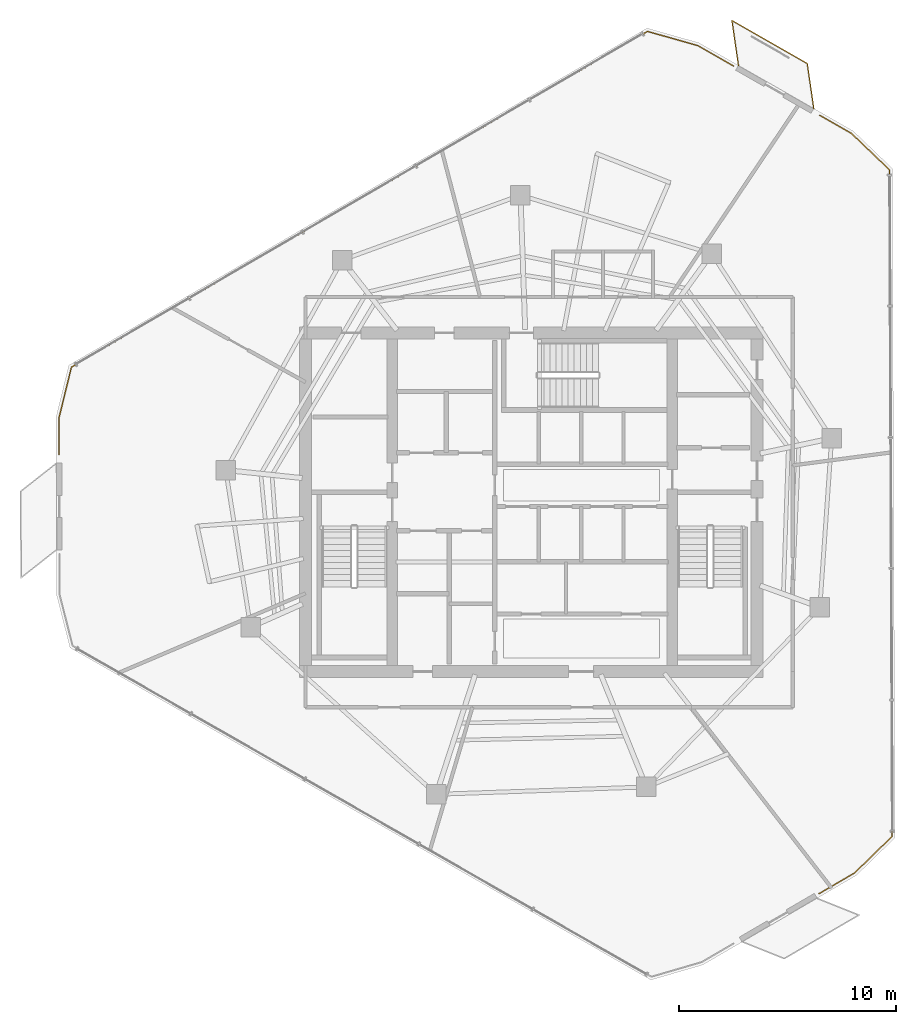
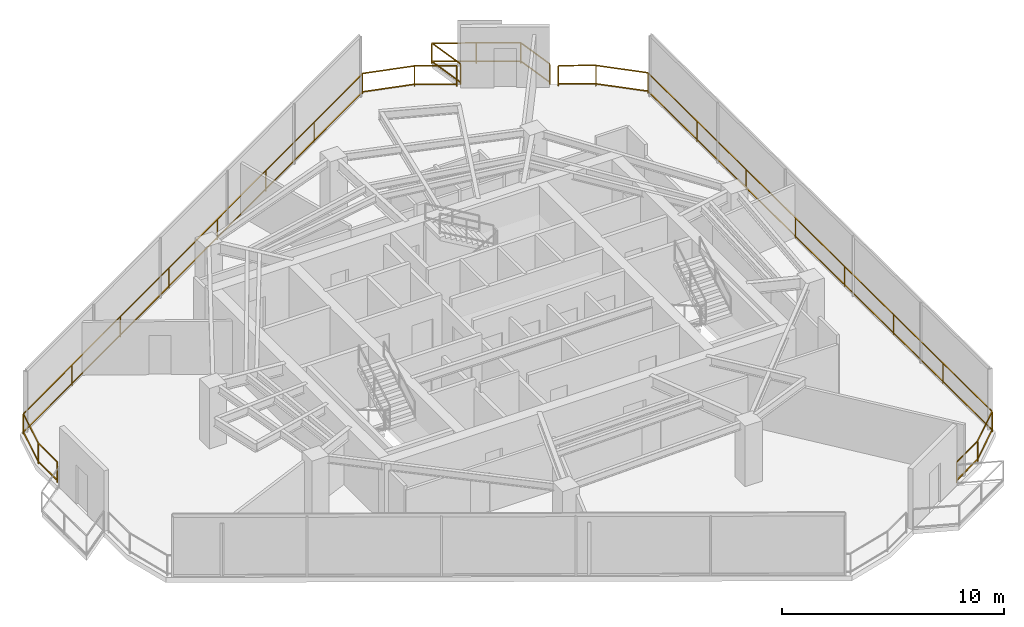
# One storey, part 19 of 19: 4 railings.
"""IFC4 building model written with IfcOpenShell, lengths in metres."""

from ifc_helpers import new_model, si_unit, direction, frame, origin, origin_2d, place, context, subcontext, project, spatial, rectangle, extrude, material, type_object, element, save


model = new_model("IFC4")

# Units and contexts
model_context = context("Model", 3, precision=1e-05, world=origin(), true_north=direction((0.0, 1.0)))
body_context = subcontext(model_context, "Body", "Model", "MODEL_VIEW")
ifc_project = project(units=[si_unit("LENGTHUNIT", "METRE"), si_unit("AREAUNIT", "SQUARE_METRE"), si_unit("VOLUMEUNIT", "CUBIC_METRE"), si_unit("PLANEANGLEUNIT", "RADIAN"), si_unit("MASSUNIT", "GRAM", prefix="KILO")], contexts=[model_context])

# Site, building, storey
site_placement = place(None, origin())
site = spatial("IfcSite", under=ifc_project, at=site_placement, CompositionType="ELEMENT")
building_placement = place(site_placement, origin())
building = spatial("IfcBuilding", under=site, at=building_placement, Name="Qarnah Convention Tower", CompositionType="ELEMENT")
storey_placement = place(building_placement, frame((0.0, 0.0, 180.60009765625)))
storey = spatial("IfcBuildingStorey", under=building, at=storey_placement, Name="L48", CompositionType="ELEMENT", Elevation=180.60009765625)

# Railings
ifc_material = material(Name="Black anodised aluminium", Category="aluminium")
railing_type = type_object("IfcRailingType", Name="RL-EXT-GUARD-1150", PredefinedType="GUARDRAIL", material=ifc_material)
railing_1_placement = place(storey_placement, frame((44.8740234375, 47.431884765625, 0.0)))
element("IfcRailing", 1, at=railing_1_placement, inside=storey, type_object=railing_type, Name="L48 slab-edge perimeter safety guard 01", PredefinedType="GUARDRAIL", context=body_context, shape_type="SweptSolid", body=[
    extrude(rectangle(XDim=0.048095703125, YDim=0.048095703125, at=origin_2d()), frame((0.0, 0.0, 1.1259765625), z_axis=(0.868195794411, -0.496221787678, 0.0), x_axis=(0.496221787678, 0.868195794411, 0.0)), (0.0, 0.0, 1.0), 1.904052734375),
    extrude(rectangle(XDim=0.048095703125, YDim=0.048095703125, at=origin_2d()), frame((0.0, 0.0, 0.1201171875), z_axis=(0.868195794411, -0.496221787678, 0.0), x_axis=(0.496221787678, 0.868195794411, 0.0)), (0.0, 0.0, 1.0), 1.904052734375),
    extrude(rectangle(XDim=0.0419921875, YDim=0.0419921875, at=origin_2d()), origin(), (0.0, 0.0, 1.0), 1.101806640625),
    extrude(rectangle(XDim=0.0419921875, YDim=0.0419921875, at=origin_2d()), frame((1.653076171875, -0.94482421875, 0.0)), (0.0, 0.0, 1.0), 1.101806640625),
])
railing_2_placement = place(storey_placement, frame((50.485107421875, 44.22412109375, 0.0)))
element("IfcRailing", 2, at=railing_2_placement, inside=storey, type_object=railing_type, Name="L48 slab-edge perimeter safety guard 02", PredefinedType="GUARDRAIL", context=body_context, shape_type="SweptSolid", body=[
    extrude(rectangle(XDim=0.048095703125, YDim=0.048095703125, at=origin_2d()), frame((0.0, 0.0, 1.1259765625), z_axis=(0.868216519694, -0.496185524708, 0.0), x_axis=(0.496185524708, 0.868216519694, 0.0)), (0.0, 0.0, 1.0), 1.693115234375),
    extrude(rectangle(XDim=0.048095703125, YDim=0.048095703125, at=origin_2d()), frame((0.0, 0.0, 0.1201171875), z_axis=(0.868216519694, -0.496185524708, 0.0), x_axis=(0.496185524708, 0.868216519694, 0.0)), (0.0, 0.0, 1.0), 1.693115234375),
    extrude(rectangle(XDim=0.048095703125, YDim=0.048095703125, at=origin_2d()), frame((1.469970703125, -0.840087890625, 1.1259765625), z_axis=(0.722091531989, -0.691797527771, 0.0), x_axis=(0.691797527771, 0.722091531989, 0.0)), (0.0, 0.0, 1.0), 2.40966796875),
    extrude(rectangle(XDim=0.048095703125, YDim=0.048095703125, at=origin_2d()), frame((1.469970703125, -0.840087890625, 0.1201171875), z_axis=(0.722091531989, -0.691797527771, 0.0), x_axis=(0.691797527771, 0.722091531989, 0.0)), (0.0, 0.0, 1.0), 2.40966796875),
    extrude(rectangle(XDim=0.048095703125, YDim=0.048095703125, at=origin_2d()), frame((3.2099609375, -2.507080078125, 1.1259765625), z_axis=(0.004196801104, -0.999991193391, 0.0), x_axis=(0.999991193391, 0.004196801104, 0.0)), (0.0, 0.0, 1.0), 30.71533203125),
    extrude(rectangle(XDim=0.048095703125, YDim=0.048095703125, at=origin_2d()), frame((3.2099609375, -2.507080078125, 0.1201171875), z_axis=(0.004196801104, -0.999991193391, 0.0), x_axis=(0.999991193391, 0.004196801104, 0.0)), (0.0, 0.0, 1.0), 30.71533203125),
    extrude(rectangle(XDim=0.048095703125, YDim=0.048095703125, at=origin_2d()), frame((3.3388671875, -33.22216796875, 1.1259765625), z_axis=(-0.716215306431, -0.697879384159, 0.0), x_axis=(0.697879384159, -0.716215306431, 0.0)), (0.0, 0.0, 1.0), 2.409912109375),
    extrude(rectangle(XDim=0.048095703125, YDim=0.048095703125, at=origin_2d()), frame((3.3388671875, -33.22216796875, 0.1201171875), z_axis=(-0.716215306431, -0.697879384159, 0.0), x_axis=(0.697879384159, -0.716215306431, 0.0)), (0.0, 0.0, 1.0), 2.409912109375),
    extrude(rectangle(XDim=0.048095703125, YDim=0.048095703125, at=origin_2d()), frame((1.61279296875, -34.904052734375, 1.1259765625), z_axis=(-0.864048376105, -0.503408783942, 0.0), x_axis=(0.503408783942, -0.864048376105, 0.0)), (0.0, 0.0, 1.0), 1.905029296875),
    extrude(rectangle(XDim=0.048095703125, YDim=0.048095703125, at=origin_2d()), frame((1.61279296875, -34.904052734375, 0.1201171875), z_axis=(-0.864048376105, -0.503408783942, 0.0), x_axis=(0.503408783942, -0.864048376105, 0.0)), (0.0, 0.0, 1.0), 1.905029296875),
    extrude(rectangle(XDim=0.0419921875, YDim=0.0419921875, at=origin_2d()), origin(), (0.0, 0.0, 1.0), 1.101806640625),
    extrude(rectangle(XDim=0.0419921875, YDim=0.0419921875, at=origin_2d()), frame((1.469970703125, -0.840087890625, 0.0)), (0.0, 0.0, 1.0), 1.101806640625),
    extrude(rectangle(XDim=0.0419921875, YDim=0.0419921875, at=origin_2d()), frame((3.2099609375, -2.507080078125, 0.0)), (0.0, 0.0, 1.0), 1.101806640625),
    extrude(rectangle(XDim=0.0419921875, YDim=0.0419921875, at=origin_2d()), frame((3.228271484375, -6.89501953125, 0.0)), (0.0, 0.0, 1.0), 1.101806640625),
    extrude(rectangle(XDim=0.0419921875, YDim=0.0419921875, at=origin_2d()), frame((3.246826171875, -11.28271484375, 0.0)), (0.0, 0.0, 1.0), 1.101806640625),
    extrude(rectangle(XDim=0.0419921875, YDim=0.0419921875, at=origin_2d()), frame((3.26513671875, -15.670654296875, 0.0)), (0.0, 0.0, 1.0), 1.101806640625),
    extrude(rectangle(XDim=0.0419921875, YDim=0.0419921875, at=origin_2d()), frame((3.28369140625, -20.05859375, 0.0)), (0.0, 0.0, 1.0), 1.101806640625),
    extrude(rectangle(XDim=0.0419921875, YDim=0.0419921875, at=origin_2d()), frame((3.302001953125, -24.446533203125, 0.0)), (0.0, 0.0, 1.0), 1.101806640625),
    extrude(rectangle(XDim=0.0419921875, YDim=0.0419921875, at=origin_2d()), frame((3.320556640625, -28.834228515625, 0.0)), (0.0, 0.0, 1.0), 1.101806640625),
    extrude(rectangle(XDim=0.0419921875, YDim=0.0419921875, at=origin_2d()), frame((3.3388671875, -33.22216796875, 0.0)), (0.0, 0.0, 1.0), 1.101806640625),
    extrude(rectangle(XDim=0.0419921875, YDim=0.0419921875, at=origin_2d()), frame((1.61279296875, -34.904052734375, 0.0)), (0.0, 0.0, 1.0), 1.101806640625),
    extrude(rectangle(XDim=0.0419921875, YDim=0.0419921875, at=origin_2d()), frame((-0.033203125, -35.863037109375, 0.0)), (0.0, 0.0, 1.0), 1.101806640625),
])
railing_3_placement = place(storey_placement, frame((15.452880859375, 28.5830078125, 0.0)))
element("IfcRailing", 3, at=railing_3_placement, inside=storey, type_object=railing_type, Name="L48 slab-edge perimeter safety guard 04", PredefinedType="GUARDRAIL", context=body_context, shape_type="SweptSolid", body=[
    extrude(rectangle(XDim=0.048095703125, YDim=0.048095703125, at=origin_2d()), frame((0.0, 0.0, 1.1259765625), z_axis=(-0.00403804034, 0.999991847082, 0.0), x_axis=(-0.999991847082, -0.00403804034, 0.0)), (0.0, 0.0, 1.0), 1.69287109375),
    extrude(rectangle(XDim=0.048095703125, YDim=0.048095703125, at=origin_2d()), frame((0.0, 0.0, 0.1201171875), z_axis=(-0.00403804034, 0.999991847082, 0.0), x_axis=(-0.999991847082, -0.00403804034, 0.0)), (0.0, 0.0, 1.0), 1.69287109375),
    extrude(rectangle(XDim=0.048095703125, YDim=0.048095703125, at=origin_2d()), frame((-0.0068359375, 1.69287109375, 1.1259765625), z_axis=(0.238124185599, 0.971234715315, 0.0), x_axis=(-0.971234715315, 0.238124185599, 0.0)), (0.0, 0.0, 1.0), 2.410400390625),
    extrude(rectangle(XDim=0.048095703125, YDim=0.048095703125, at=origin_2d()), frame((-0.0068359375, 1.69287109375, 0.1201171875), z_axis=(0.238124185599, 0.971234715315, 0.0), x_axis=(-0.971234715315, 0.238124185599, 0.0)), (0.0, 0.0, 1.0), 2.410400390625),
    extrude(rectangle(XDim=0.048095703125, YDim=0.048095703125, at=origin_2d()), frame((0.567138671875, 4.033935546875, 1.1259765625), z_axis=(0.863916384725, 0.503635265051, 0.0), x_axis=(-0.503635265051, 0.863916384725, 0.0)), (0.0, 0.0, 1.0), 30.714599609375),
    extrude(rectangle(XDim=0.048095703125, YDim=0.048095703125, at=origin_2d()), frame((0.567138671875, 4.033935546875, 0.1201171875), z_axis=(0.863916384725, 0.503635265051, 0.0), x_axis=(-0.503635265051, 0.863916384725, 0.0)), (0.0, 0.0, 1.0), 30.714599609375),
    extrude(rectangle(XDim=0.048095703125, YDim=0.048095703125, at=origin_2d()), frame((27.10205078125, 19.5029296875, 1.1259765625), z_axis=(0.962455105947, -0.271440912605, 0.0), x_axis=(0.271440912605, 0.962455105947, 0.0)), (0.0, 0.0, 1.0), 2.40966796875),
    extrude(rectangle(XDim=0.048095703125, YDim=0.048095703125, at=origin_2d()), frame((27.10205078125, 19.5029296875, 0.1201171875), z_axis=(0.962455105947, -0.271440912605, 0.0), x_axis=(0.271440912605, 0.962455105947, 0.0)), (0.0, 0.0, 1.0), 2.40966796875),
    extrude(rectangle(XDim=0.0419921875, YDim=0.0419921875, at=origin_2d()), origin(), (0.0, 0.0, 1.0), 1.101806640625),
    extrude(rectangle(XDim=0.0419921875, YDim=0.0419921875, at=origin_2d()), frame((-0.0068359375, 1.69287109375, 0.0)), (0.0, 0.0, 1.0), 1.101806640625),
    extrude(rectangle(XDim=0.0419921875, YDim=0.0419921875, at=origin_2d()), frame((0.567138671875, 4.033935546875, 0.0)), (0.0, 0.0, 1.0), 1.101806640625),
    extrude(rectangle(XDim=0.0419921875, YDim=0.0419921875, at=origin_2d()), frame((4.35791015625, 6.243896484375, 0.0)), (0.0, 0.0, 1.0), 1.101806640625),
    extrude(rectangle(XDim=0.0419921875, YDim=0.0419921875, at=origin_2d()), frame((8.1484375, 8.45361328125, 0.0)), (0.0, 0.0, 1.0), 1.101806640625),
    extrude(rectangle(XDim=0.0419921875, YDim=0.0419921875, at=origin_2d()), frame((11.939208984375, 10.66357421875, 0.0)), (0.0, 0.0, 1.0), 1.101806640625),
    extrude(rectangle(XDim=0.0419921875, YDim=0.0419921875, at=origin_2d()), frame((15.72998046875, 12.873291015625, 0.0)), (0.0, 0.0, 1.0), 1.101806640625),
    extrude(rectangle(XDim=0.0419921875, YDim=0.0419921875, at=origin_2d()), frame((19.520751953125, 15.083251953125, 0.0)), (0.0, 0.0, 1.0), 1.101806640625),
    extrude(rectangle(XDim=0.0419921875, YDim=0.0419921875, at=origin_2d()), frame((23.311279296875, 17.29296875, 0.0)), (0.0, 0.0, 1.0), 1.101806640625),
    extrude(rectangle(XDim=0.0419921875, YDim=0.0419921875, at=origin_2d()), frame((27.10205078125, 19.5029296875, 0.0)), (0.0, 0.0, 1.0), 1.101806640625),
    extrude(rectangle(XDim=0.0419921875, YDim=0.0419921875, at=origin_2d()), frame((29.421142578125, 18.848876953125, 0.0)), (0.0, 0.0, 1.0), 1.101806640625),
])
railing_4_placement = place(storey_placement, frame((46.7451171875, 46.51806640625, 0.0)))
element("IfcRailing", 4, at=railing_4_placement, inside=storey, type_object=railing_type, Name="L48 balcony safety guard BAL-L48-C1", PredefinedType="GUARDRAIL", context=body_context, shape_type="SweptSolid", body=[
    extrude(rectangle(XDim=0.048095703125, YDim=0.048095703125, at=origin_2d()), frame((0.0, 0.0, 1.1259765625), z_axis=(-0.143314859321, 0.98967714488, 0.0), x_axis=(-0.98967714488, -0.143314859321, 0.0)), (0.0, 0.0, 1.0), 2.09375),
    extrude(rectangle(XDim=0.048095703125, YDim=0.048095703125, at=origin_2d()), frame((0.0, 0.0, 0.1201171875), z_axis=(-0.143314859321, 0.98967714488, 0.0), x_axis=(-0.98967714488, -0.143314859321, 0.0)), (0.0, 0.0, 1.0), 2.09375),
    extrude(rectangle(XDim=0.048095703125, YDim=0.048095703125, at=origin_2d()), frame((-0.300048828125, 2.072021484375, 1.1259765625), z_axis=(0.868074100721, -0.496434643892, 0.0), x_axis=(0.496434643892, 0.868074100721, 0.0)), (0.0, 0.0, 1.0), 4.000732421875),
    extrude(rectangle(XDim=0.048095703125, YDim=0.048095703125, at=origin_2d()), frame((-0.300048828125, 2.072021484375, 0.1201171875), z_axis=(0.868074100721, -0.496434643892, 0.0), x_axis=(0.496434643892, 0.868074100721, 0.0)), (0.0, 0.0, 1.0), 4.000732421875),
    extrude(rectangle(XDim=0.048095703125, YDim=0.048095703125, at=origin_2d()), frame((3.1728515625, 0.0859375, 1.1259765625), z_axis=(0.143314859321, -0.98967714488, 0.0), x_axis=(0.98967714488, 0.143314859321, 0.0)), (0.0, 0.0, 1.0), 2.09375),
    extrude(rectangle(XDim=0.048095703125, YDim=0.048095703125, at=origin_2d()), frame((3.1728515625, 0.0859375, 0.1201171875), z_axis=(0.143314859321, -0.98967714488, 0.0), x_axis=(0.98967714488, 0.143314859321, 0.0)), (0.0, 0.0, 1.0), 2.09375),
    extrude(rectangle(XDim=0.0419921875, YDim=0.0419921875, at=origin_2d()), origin(), (0.0, 0.0, 1.0), 1.101806640625),
    extrude(rectangle(XDim=0.0419921875, YDim=0.0419921875, at=origin_2d()), frame((-0.300048828125, 2.072021484375, 0.0)), (0.0, 0.0, 1.0), 1.101806640625),
    extrude(rectangle(XDim=0.0419921875, YDim=0.0419921875, at=origin_2d()), frame((1.4365234375, 1.0791015625, 0.0)), (0.0, 0.0, 1.0), 1.101806640625),
    extrude(rectangle(XDim=0.0419921875, YDim=0.0419921875, at=origin_2d()), frame((3.1728515625, 0.0859375, 0.0)), (0.0, 0.0, 1.0), 1.101806640625),
    extrude(rectangle(XDim=0.0419921875, YDim=0.0419921875, at=origin_2d()), frame((3.472900390625, -1.986083984375, 0.0)), (0.0, 0.0, 1.0), 1.101806640625),
])

save(model, "model.ifc")
